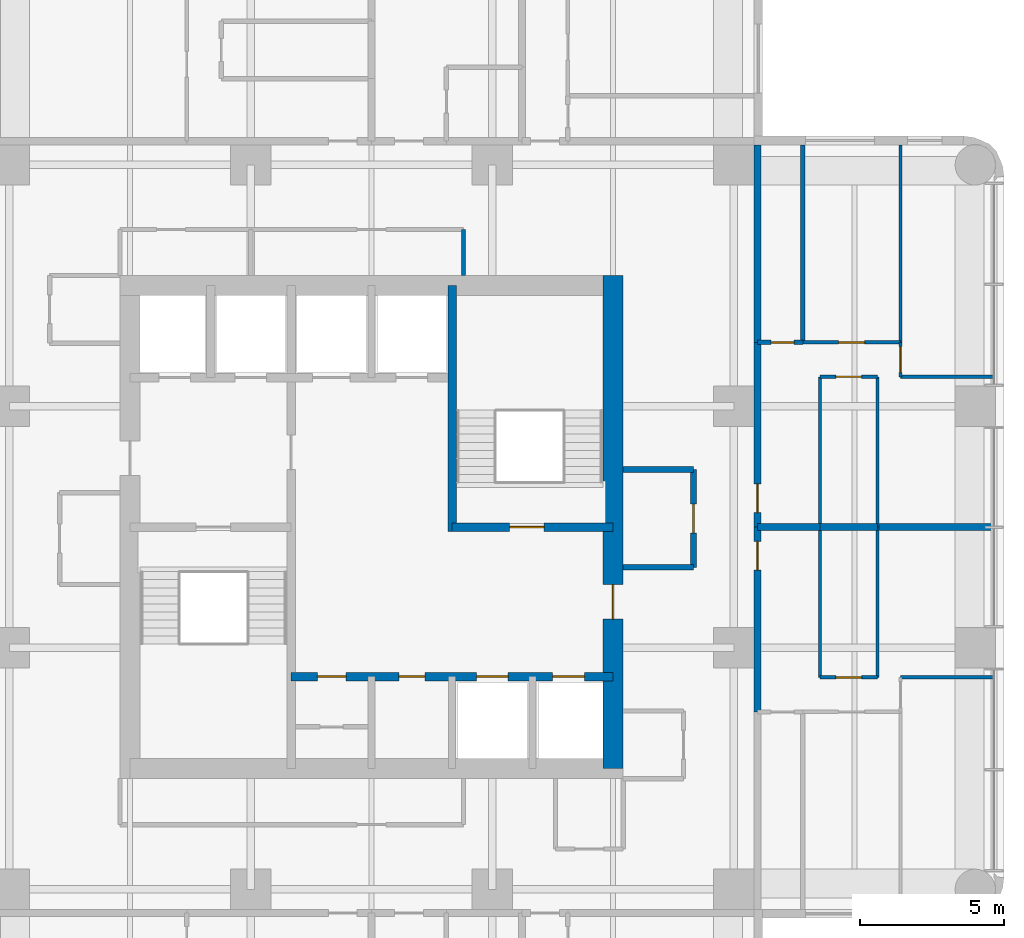
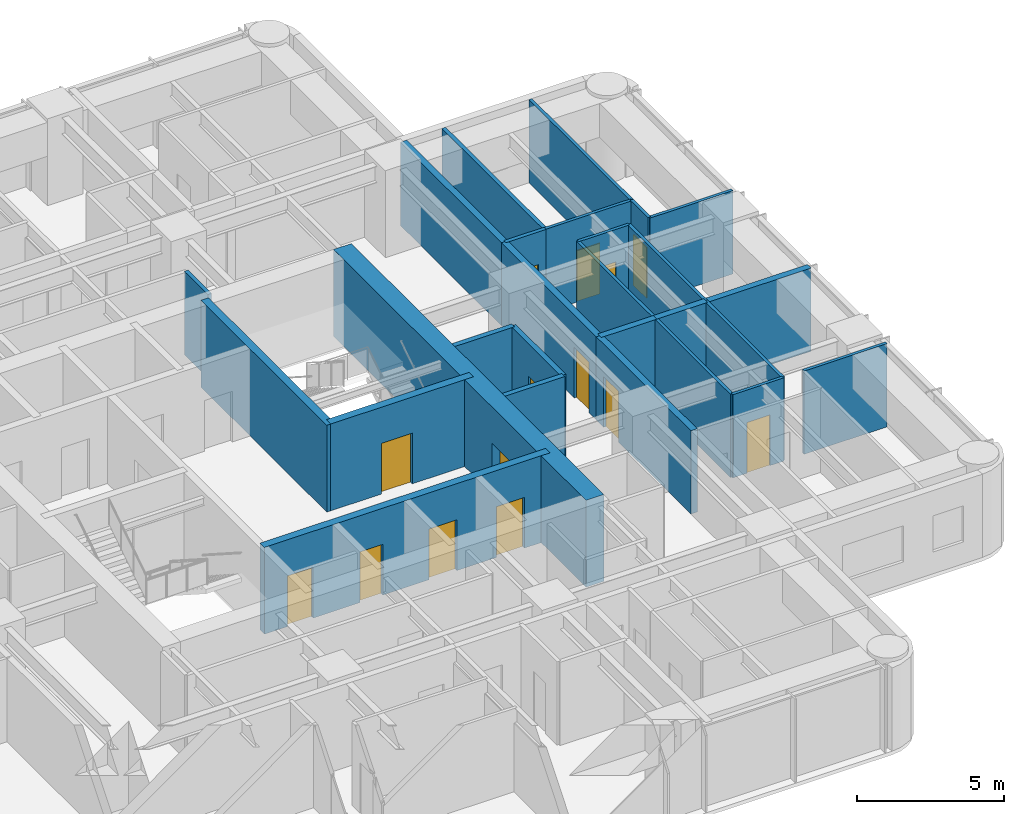
# One storey, part 8 of 11: 27 walls, 14 doors, 14 openings.
"""IFC4 building model written with IfcOpenShell, lengths in metres."""

from ifc_helpers import new_model, si_unit, direction, frame, frame_2d, origin, place, context, subcontext, project, spatial, rectangle, extrude, material, layer, layer_set, type_object, element, fill, save


model = new_model("IFC4")

# Units and contexts
model_context = context("Model", 3, precision=1e-05, world=origin(), true_north=direction((0.0, 1.0)))
body_context = subcontext(model_context, "Body", "Model", "MODEL_VIEW")
ifc_project = project(units=[si_unit("LENGTHUNIT", "METRE"), si_unit("AREAUNIT", "SQUARE_METRE"), si_unit("VOLUMEUNIT", "CUBIC_METRE"), si_unit("PLANEANGLEUNIT", "RADIAN"), si_unit("MASSUNIT", "GRAM", prefix="KILO")], contexts=[model_context])

# Site, building, storey
site_placement = place(None, origin())
site = spatial("IfcSite", under=ifc_project, at=site_placement, CompositionType="ELEMENT")
building_placement = place(site_placement, origin())
building = spatial("IfcBuilding", under=site, at=building_placement, Name="Torre Alcanfor", CompositionType="ELEMENT")
storey_placement = place(building_placement, frame((0.0, 0.0, 204.89990234375)))
storey = spatial("IfcBuildingStorey", under=building, at=storey_placement, Name="L53", CompositionType="ELEMENT", Elevation=204.89990234375)

# Wall, opening, door
ifc_material_1 = material(Name="Concrete block masonry, hollow blocks NMX-C-404 9 MPa", Category="masonry")
ifc_layer_1 = layer(ifc_material_1, 0.25)
ifc_layer_set_1 = layer_set([ifc_layer_1], Name="Apartment entrance wall 250 EI 60")
wall_type_1 = type_object("IfcWallType", Name="Apartment entrance wall 250 EI 60", PredefinedType="PARTITIONING", material=ifc_layer_set_1)
wall_1_placement = place(storey_placement, frame((42.824951171875, 35.8291015625, 0.0), z_axis=(0.0, 0.0, 1.0), x_axis=(0.0, -1.0, 0.0)))
wall_1 = element("IfcWall", 1, at=wall_1_placement, inside=storey, type_object=wall_type_1, Name="Partition L53-CORR / L53-E1-LIVING", PredefinedType="PARTITIONING", context=body_context, shape_type="SweptSolid", body=[
    extrude(rectangle(XDim=6.42919921875, YDim=0.25, at=frame_2d((3.214599609375, 0.0))), origin(), (0.0, 0.0, 1.0), 3.4501953125),
])
opening_1_placement = place(wall_1_placement, frame((4.928955078125, 0.0, 0.0)))
opening_1 = element("IfcOpeningElement", 2, at=opening_1_placement, cuts=wall_1, Name="Opening D-A1", PredefinedType="OPENING", context=body_context, shape_type="SweptSolid", body=[
    extrude(rectangle(XDim=1.0, YDim=2.10009765625, at=frame_2d((0.5, 1.050048828125))), frame((0.0, 0.135009765625, 0.0), z_axis=(0.0, -1.0, 0.0), x_axis=(1.0, 0.0, 0.0)), (0.0, 0.0, 1.0), 0.27001953125),
])
ifc_material_2 = material(Name="Galvanised steel sheet ASTM A653", Category="steel")
door_type_1 = type_object("IfcDoorType", Name="Apartment entrance door FD60 1000x2100", OperationType="SINGLE_SWING_LEFT", PredefinedType="DOOR", material=ifc_material_2)
door_1_placement = place(opening_1_placement, origin())
door_1 = element("IfcDoor", 3, at=door_1_placement, inside=storey, type_object=door_type_1, Name="Apartment entrance L53-E1", OperationType="SINGLE_SWING_RIGHT", OverallHeight=2.10009765625, OverallWidth=1.0, PredefinedType="DOOR", context=body_context, shape_type="SweptSolid", body=[
    extrude(rectangle(XDim=1.0, YDim=2.10009765625, at=frame_2d((0.5, 1.050048828125))), frame((0.0, 0.02490234375, 0.0), z_axis=(0.0, -1.0, 0.0), x_axis=(1.0, 0.0, 0.0)), (0.0, 0.0, 1.0), 0.050048828125),
])
fill(opening_1, door_1)

# Wall
wall_2_placement = place(storey_placement, frame((42.824951171875, 42.699951171875, 0.0), z_axis=(0.0, 0.0, 1.0), x_axis=(0.0, -1.0, 0.0)))
element("IfcWall", 4, at=wall_2_placement, inside=storey, type_object=wall_type_1, Name="Partition L53-CORR / L53-E1-BATH", PredefinedType="PARTITIONING", context=body_context, shape_type="SweptSolid", body=[
    extrude(rectangle(XDim=6.870849609375, YDim=0.25, at=frame_2d((3.435546875, 0.0))), origin(), (0.0, 0.0, 1.0), 3.4501953125),
])

# Wall, opening, door
wall_3_placement = place(storey_placement, frame((42.824951171875, 29.39990234375, 0.0), z_axis=(0.0, 0.0, 1.0), x_axis=(0.0, -1.0, 0.0)))
wall_3 = element("IfcWall", 5, at=wall_3_placement, inside=storey, type_object=wall_type_1, Name="Partition L53-CORR / L53-E2-LIVING", PredefinedType="PARTITIONING", context=body_context, shape_type="SweptSolid", body=[
    extrude(rectangle(XDim=6.428955078125, YDim=0.25, at=frame_2d((3.21435546875, 0.0))), origin(), (0.0, 0.0, 1.0), 3.4501953125),
])
opening_2_placement = place(wall_3_placement, frame((0.5, 0.0, 0.0)))
opening_2 = element("IfcOpeningElement", 6, at=opening_2_placement, cuts=wall_3, Name="Opening D-A1", PredefinedType="OPENING", context=body_context, shape_type="SweptSolid", body=[
    extrude(rectangle(XDim=1.0, YDim=2.10009765625, at=frame_2d((0.5, 1.050048828125))), frame((0.0, 0.135009765625, 0.0), z_axis=(0.0, -1.0, 0.0), x_axis=(1.0, 0.0, 0.0)), (0.0, 0.0, 1.0), 0.27001953125),
])
door_2_placement = place(opening_2_placement, origin())
door_2 = element("IfcDoor", 7, at=door_2_placement, inside=storey, type_object=door_type_1, Name="Apartment entrance L53-E2", OperationType="SINGLE_SWING_LEFT", OverallHeight=2.10009765625, OverallWidth=1.0, PredefinedType="DOOR", context=body_context, shape_type="SweptSolid", body=[
    extrude(rectangle(XDim=1.0, YDim=2.10009765625, at=frame_2d((0.5, 1.050048828125))), frame((0.0, 0.02490234375, 0.0), z_axis=(0.0, -1.0, 0.0), x_axis=(1.0, 0.0, 0.0)), (0.0, 0.0, 1.0), 0.050048828125),
])
fill(opening_2, door_2)

# Wall
ifc_material_3 = material(Name="Gypsum board on steel studs", Category="steel")
ifc_layer_2 = layer(ifc_material_3, 0.1201171875)
ifc_layer_set_2 = layer_set([ifc_layer_2], Name="Apartment partition 120")
wall_type_2 = type_object("IfcWallType", Name="Apartment partition 120", PredefinedType="PARTITIONING", material=ifc_layer_set_2)
wall_4_placement = place(storey_placement, frame((47.0, 29.39990234375, 0.0), z_axis=(0.0, 0.0, 1.0), x_axis=(0.0, 1.0, 0.0)))
element("IfcWall", 8, at=wall_4_placement, inside=storey, type_object=wall_type_2, Name="Partition L53-E1-KITCHEN / L53-E1-LIVING", PredefinedType="PARTITIONING", context=body_context, shape_type="SweptSolid", body=[
    extrude(rectangle(XDim=5.22900390625, YDim=0.1201171875, at=frame_2d((2.614501953125, 0.0))), origin(), (0.0, 0.0, 1.0), 3.4501953125),
])

# Wall, opening, door
wall_5_placement = place(storey_placement, frame((47.0, 34.62890625, 0.0), z_axis=(0.0, 0.0, 1.0), x_axis=(-1.0, 0.0, 0.0)))
wall_5 = element("IfcWall", 9, at=wall_5_placement, inside=storey, type_object=wall_type_2, Name="Partition L53-E1-KITCHEN / L53-E1-LIVING", PredefinedType="PARTITIONING", context=body_context, shape_type="SweptSolid", body=[
    extrude(rectangle(XDim=2.0, YDim=0.1201171875, at=frame_2d((1.0, 0.0))), origin(), (0.0, 0.0, 1.0), 3.4501953125),
])
opening_3_placement = place(wall_5_placement, frame((0.550048828125, 0.0, 0.0)))
opening_3 = element("IfcOpeningElement", 10, at=opening_3_placement, cuts=wall_5, Name="Opening D-R1", PredefinedType="OPENING", context=body_context, shape_type="SweptSolid", body=[
    extrude(rectangle(XDim=0.89990234375, YDim=2.10009765625, at=frame_2d((0.449951171875, 1.050048828125))), frame((0.0, 0.070068359375, 0.0), z_axis=(0.0, -1.0, 0.0), x_axis=(1.0, 0.0, 0.0)), (0.0, 0.0, 1.0), 0.14013671875),
])
ifc_material_4 = material(Name="Timber", Category="wood")
door_type_2 = type_object("IfcDoorType", Name="Internal door 900x2100", OperationType="SINGLE_SWING_LEFT", PredefinedType="DOOR", material=ifc_material_4)
door_3_placement = place(opening_3_placement, origin())
door_3 = element("IfcDoor", 11, at=door_3_placement, inside=storey, type_object=door_type_2, Name="Door L53-E1 kitchen", OperationType="SINGLE_SWING_LEFT", OverallHeight=2.10009765625, OverallWidth=0.89990234375, PredefinedType="DOOR", context=body_context, shape_type="SweptSolid", body=[
    extrude(rectangle(XDim=0.89990234375, YDim=2.10009765625, at=frame_2d((0.449951171875, 1.050048828125))), frame((0.0, 0.02490234375, 0.0), z_axis=(0.0, -1.0, 0.0), x_axis=(1.0, 0.0, 0.0)), (0.0, 0.0, 1.0), 0.050048828125),
])
fill(opening_3, door_3)

# Wall
wall_6_placement = place(storey_placement, frame((45.0, 34.62890625, 0.0), z_axis=(0.0, 0.0, 1.0), x_axis=(0.0, -1.0, 0.0)))
element("IfcWall", 12, at=wall_6_placement, inside=storey, type_object=wall_type_2, Name="Partition L53-E1-KITCHEN / L53-E1-LIVING", PredefinedType="PARTITIONING", context=body_context, shape_type="SweptSolid", body=[
    extrude(rectangle(XDim=5.22900390625, YDim=0.1201171875, at=frame_2d((2.614501953125, 0.0))), origin(), (0.0, 0.0, 1.0), 3.4501953125),
])

# Wall, opening, door
wall_7_placement = place(storey_placement, frame((44.39990234375, 35.8291015625, 0.0), z_axis=(0.0, 0.0, 1.0), x_axis=(1.0, 0.0, 0.0)))
wall_7 = element("IfcWall", 13, at=wall_7_placement, inside=storey, type_object=wall_type_2, Name="Partition L53-E1-LIVING / L53-E1-STUDY", PredefinedType="PARTITIONING", context=body_context, shape_type="SweptSolid", body=[
    extrude(rectangle(XDim=3.400146484375, YDim=0.1201171875, at=frame_2d((1.7001953125, 0.0))), origin(), (0.0, 0.0, 1.0), 3.4501953125),
])
opening_4_placement = place(wall_7_placement, frame((1.25, 0.0, 0.0)))
opening_4 = element("IfcOpeningElement", 14, at=opening_4_placement, cuts=wall_7, Name="Opening D-R1", PredefinedType="OPENING", context=body_context, shape_type="SweptSolid", body=[
    extrude(rectangle(XDim=0.89990234375, YDim=2.10009765625, at=frame_2d((0.449951171875, 1.050048828125))), frame((0.0, 0.070068359375, 0.0), z_axis=(0.0, -1.0, 0.0), x_axis=(1.0, 0.0, 0.0)), (0.0, 0.0, 1.0), 0.14013671875),
])
door_4_placement = place(opening_4_placement, origin())
door_4 = element("IfcDoor", 15, at=door_4_placement, inside=storey, type_object=door_type_2, Name="Door L53-E1 study", OperationType="SINGLE_SWING_LEFT", OverallHeight=2.10009765625, OverallWidth=0.89990234375, PredefinedType="DOOR", context=body_context, shape_type="SweptSolid", body=[
    extrude(rectangle(XDim=0.89990234375, YDim=2.10009765625, at=frame_2d((0.449951171875, 1.050048828125))), frame((0.0, 0.02490234375, 0.0), z_axis=(0.0, -1.0, 0.0), x_axis=(1.0, 0.0, 0.0)), (0.0, 0.0, 1.0), 0.050048828125),
])
fill(opening_4, door_4)

wall_8_placement = place(storey_placement, frame((47.800048828125, 35.8291015625, 0.0), z_axis=(0.0, 0.0, 1.0), x_axis=(0.0, -1.0, 0.0)))
wall_8 = element("IfcWall", 16, at=wall_8_placement, inside=storey, type_object=wall_type_2, Name="Partition L53-E1-LIVING / L53-E1-MASTER", PredefinedType="PARTITIONING", context=body_context, shape_type="SweptSolid", body=[
    extrude(rectangle(XDim=1.2001953125, YDim=0.1201171875, at=frame_2d((0.60009765625, 0.0))), origin(), (0.0, 0.0, 1.0), 3.4501953125),
])
opening_5_placement = place(wall_8_placement, frame((0.14892578125, 0.0, 0.0)))
opening_5 = element("IfcOpeningElement", 17, at=opening_5_placement, cuts=wall_8, Name="Opening D-R1", PredefinedType="OPENING", context=body_context, shape_type="SweptSolid", body=[
    extrude(rectangle(XDim=0.89990234375, YDim=2.10009765625, at=frame_2d((0.449951171875, 1.050048828125))), frame((0.0, 0.070068359375, 0.0), z_axis=(0.0, -1.0, 0.0), x_axis=(1.0, 0.0, 0.0)), (0.0, 0.0, 1.0), 0.14013671875),
])
door_5_placement = place(opening_5_placement, origin())
door_5 = element("IfcDoor", 18, at=door_5_placement, inside=storey, type_object=door_type_2, Name="Door L53-E1 master", OperationType="SINGLE_SWING_RIGHT", OverallHeight=2.10009765625, OverallWidth=0.89990234375, PredefinedType="DOOR", context=body_context, shape_type="SweptSolid", body=[
    extrude(rectangle(XDim=0.89990234375, YDim=2.10009765625, at=frame_2d((0.449951171875, 1.050048828125))), frame((0.0, 0.02490234375, 0.0), z_axis=(0.0, -1.0, 0.0), x_axis=(1.0, 0.0, 0.0)), (0.0, 0.0, 1.0), 0.050048828125),
])
fill(opening_5, door_5)

# Walls
wall_9_placement = place(storey_placement, frame((47.800048828125, 34.62890625, 0.0), z_axis=(0.0, 0.0, 1.0), x_axis=(1.0, 0.0, 0.0)))
element("IfcWall", 19, at=wall_9_placement, inside=storey, type_object=wall_type_2, Name="Partition L53-E1-LIVING / L53-E1-MASTER", PredefinedType="PARTITIONING", context=body_context, shape_type="SweptSolid", body=[
    extrude(rectangle(XDim=3.25, YDim=0.1201171875, at=frame_2d((1.625, 0.0))), origin(), (0.0, 0.0, 1.0), 3.4501953125),
])
wall_10_placement = place(storey_placement, frame((47.800048828125, 35.8291015625, 0.0), z_axis=(0.0, 0.0, 1.0), x_axis=(0.0, 1.0, 0.0)))
element("IfcWall", 20, at=wall_10_placement, inside=storey, type_object=wall_type_2, Name="Partition L53-E1-STUDY / L53-E1-MASTER", PredefinedType="PARTITIONING", context=body_context, shape_type="SweptSolid", body=[
    extrude(rectangle(XDim=6.870849609375, YDim=0.1201171875, at=frame_2d((3.435546875, 0.0))), origin(), (0.0, 0.0, 1.0), 3.4501953125),
])
wall_11_placement = place(storey_placement, frame((47.0, 29.39990234375, 0.0), z_axis=(0.0, 0.0, 1.0), x_axis=(0.0, -1.0, 0.0)))
element("IfcWall", 21, at=wall_11_placement, inside=storey, type_object=wall_type_2, Name="Partition L53-E2-KITCHEN / L53-E2-LIVING", PredefinedType="PARTITIONING", context=body_context, shape_type="SweptSolid", body=[
    extrude(rectangle(XDim=5.22900390625, YDim=0.1201171875, at=frame_2d((2.614501953125, 0.0))), origin(), (0.0, 0.0, 1.0), 3.4501953125),
])

# Wall, opening, door
wall_12_placement = place(storey_placement, frame((47.0, 24.1708984375, 0.0), z_axis=(0.0, 0.0, 1.0), x_axis=(-1.0, 0.0, 0.0)))
wall_12 = element("IfcWall", 22, at=wall_12_placement, inside=storey, type_object=wall_type_2, Name="Partition L53-E2-KITCHEN / L53-E2-LIVING", PredefinedType="PARTITIONING", context=body_context, shape_type="SweptSolid", body=[
    extrude(rectangle(XDim=2.0, YDim=0.1201171875, at=frame_2d((1.0, 0.0))), origin(), (0.0, 0.0, 1.0), 3.4501953125),
])
opening_6_placement = place(wall_12_placement, frame((0.550048828125, 0.0, 0.0)))
opening_6 = element("IfcOpeningElement", 23, at=opening_6_placement, cuts=wall_12, Name="Opening D-R1", PredefinedType="OPENING", context=body_context, shape_type="SweptSolid", body=[
    extrude(rectangle(XDim=0.89990234375, YDim=2.10009765625, at=frame_2d((0.449951171875, 1.050048828125))), frame((0.0, 0.070068359375, 0.0), z_axis=(0.0, -1.0, 0.0), x_axis=(1.0, 0.0, 0.0)), (0.0, 0.0, 1.0), 0.14013671875),
])
door_6_placement = place(opening_6_placement, frame((0.89990234375, 0.0, 0.0), z_axis=(0.0, 0.0, 1.0), x_axis=(-1.0, 0.0, 0.0)))
door_6 = element("IfcDoor", 24, at=door_6_placement, inside=storey, type_object=door_type_2, Name="Door L53-E2 kitchen", OperationType="SINGLE_SWING_RIGHT", OverallHeight=2.10009765625, OverallWidth=0.89990234375, PredefinedType="DOOR", context=body_context, shape_type="SweptSolid", body=[
    extrude(rectangle(XDim=0.89990234375, YDim=2.10009765625, at=frame_2d((0.449951171875, 1.050048828125))), frame((0.0, 0.025146484375, 0.0), z_axis=(0.0, -1.0, 0.0), x_axis=(1.0, 0.0, 0.0)), (0.0, 0.0, 1.0), 0.050048828125),
])
fill(opening_6, door_6)

# Walls
wall_13_placement = place(storey_placement, frame((45.0, 24.1708984375, 0.0), z_axis=(0.0, 0.0, 1.0), x_axis=(0.0, 1.0, 0.0)))
element("IfcWall", 25, at=wall_13_placement, inside=storey, type_object=wall_type_2, Name="Partition L53-E2-KITCHEN / L53-E2-LIVING", PredefinedType="PARTITIONING", context=body_context, shape_type="SweptSolid", body=[
    extrude(rectangle(XDim=5.22900390625, YDim=0.1201171875, at=frame_2d((2.614501953125, 0.0))), origin(), (0.0, 0.0, 1.0), 3.4501953125),
])
wall_14_placement = place(storey_placement, frame((51.050048828125, 24.1708984375, 0.0), z_axis=(0.0, 0.0, 1.0), x_axis=(-1.0, 0.0, 0.0)))
element("IfcWall", 26, at=wall_14_placement, inside=storey, type_object=wall_type_2, Name="Partition L53-E2-LIVING / L53-E2-MASTER", PredefinedType="PARTITIONING", context=body_context, shape_type="SweptSolid", body=[
    extrude(rectangle(XDim=3.25, YDim=0.1201171875, at=frame_2d((1.625, 0.0))), origin(), (0.0, 0.0, 1.0), 3.4501953125),
])

# Wall, openings, doors
ifc_material_5 = material(Name="Concrete f'c 70 MPa", Category="concrete")
ifc_layer_3 = layer(ifc_material_5, 0.300048828125)
ifc_layer_set_3 = layer_set([ifc_layer_3], Name="Core inner wall 300 f'c70")
wall_type_3 = type_object("IfcWallType", Name="Core inner wall 300 f'c70", PredefinedType="SHEAR", material=ifc_layer_set_3)
wall_15_placement = place(storey_placement, frame((26.60009765625, 24.199951171875, 0.0), z_axis=(0.0, 0.0, 1.0), x_axis=(1.0, 0.0, 0.0)))
wall_15 = element("IfcWall", 27, at=wall_15_placement, inside=storey, type_object=wall_type_3, Name="Core wall Y242 L53", PredefinedType="SHEAR", context=body_context, shape_type="SweptSolid", body=[
    extrude(rectangle(XDim=11.199951171875, YDim=0.300048828125, at=frame_2d((5.60009765625, 0.0))), origin(), (0.0, 0.0, 1.0), 3.60009765625),
])
opening_7_placement = place(wall_15_placement, frame((0.91259765625, 0.0, 0.0)))
opening_7 = element("IfcOpeningElement", 28, at=opening_7_placement, cuts=wall_15, Name="Opening D-K1", PredefinedType="OPENING", context=body_context, shape_type="SweptSolid", body=[
    extrude(rectangle(XDim=1.0, YDim=2.10009765625, at=frame_2d((0.5, 1.050048828125))), frame((0.0, 0.159912109375, 0.0), z_axis=(0.0, -1.0, 0.0), x_axis=(1.0, 0.0, 0.0)), (0.0, 0.0, 1.0), 0.320068359375),
])
opening_8_placement = place(wall_15_placement, frame((3.75, 0.0, 0.0)))
opening_8 = element("IfcOpeningElement", 29, at=opening_8_placement, cuts=wall_15, Name="Opening D-Q1", PredefinedType="OPENING", context=body_context, shape_type="SweptSolid", body=[
    extrude(rectangle(XDim=0.89990234375, YDim=2.10009765625, at=frame_2d((0.449951171875, 1.050048828125))), frame((0.0, 0.159912109375, 0.0), z_axis=(0.0, -1.0, 0.0), x_axis=(1.0, 0.0, 0.0)), (0.0, 0.0, 1.0), 0.320068359375),
])
opening_9_placement = place(wall_15_placement, frame((6.449951171875, 0.0, 0.0)))
opening_9 = element("IfcOpeningElement", 30, at=opening_9_placement, cuts=wall_15, Name="Opening LD1", PredefinedType="OPENING", context=body_context, shape_type="SweptSolid", body=[
    extrude(rectangle(XDim=1.10009765625, YDim=2.10009765625, at=frame_2d((0.550048828125, 1.050048828125))), frame((0.0, 0.159912109375, 0.0), z_axis=(0.0, -1.0, 0.0), x_axis=(1.0, 0.0, 0.0)), (0.0, 0.0, 1.0), 0.320068359375),
])
opening_10_placement = place(wall_15_placement, frame((9.10009765625, 0.0, 0.0)))
opening_10 = element("IfcOpeningElement", 31, at=opening_10_placement, cuts=wall_15, Name="Opening LD1", PredefinedType="OPENING", context=body_context, shape_type="SweptSolid", body=[
    extrude(rectangle(XDim=1.10009765625, YDim=2.10009765625, at=frame_2d((0.550048828125, 1.050048828125))), frame((0.0, 0.159912109375, 0.0), z_axis=(0.0, -1.0, 0.0), x_axis=(1.0, 0.0, 0.0)), (0.0, 0.0, 1.0), 0.320068359375),
])
ifc_material_6 = material(Name="Galvanised steel sheet ASTM A653", Category="steel")
door_type_3 = type_object("IfcDoorType", Name="Core room door FD60 1000x2100", OperationType="SINGLE_SWING_LEFT", PredefinedType="DOOR", material=ifc_material_6)
door_7_placement = place(opening_7_placement, frame((1.0, 0.0, 0.0), z_axis=(0.0, 0.0, 1.0), x_axis=(-1.0, 0.0, 0.0)))
door_7 = element("IfcDoor", 32, at=door_7_placement, inside=storey, type_object=door_type_3, Name="IT and comms room door L53", OperationType="SINGLE_SWING_RIGHT", OverallHeight=2.10009765625, OverallWidth=1.0, PredefinedType="DOOR", context=body_context, shape_type="SweptSolid", body=[
    extrude(rectangle(XDim=1.0, YDim=2.10009765625, at=frame_2d((0.5, 1.050048828125))), frame((0.0, 0.025146484375, 0.0), z_axis=(0.0, -1.0, 0.0), x_axis=(1.0, 0.0, 0.0)), (0.0, 0.0, 1.0), 0.050048828125),
])
fill(opening_7, door_7)
ifc_material_7 = material(Name="Galvanised steel sheet ASTM A653", Category="steel")
door_type_4 = type_object("IfcDoorType", Name="Lift landing door 1100x2100", OperationType="DOUBLE_DOOR_SLIDING", PredefinedType="DOOR", material=ifc_material_7)
door_8_placement = place(opening_9_placement, origin())
door_8 = element("IfcDoor", 33, at=door_8_placement, inside=storey, type_object=door_type_4, Name="Lift landing door PA3 L53", OperationType="DOUBLE_DOOR_SLIDING", OverallHeight=2.10009765625, OverallWidth=1.10009765625, PredefinedType="DOOR", context=body_context, shape_type="SweptSolid", body=[
    extrude(rectangle(XDim=1.10009765625, YDim=2.10009765625, at=frame_2d((0.550048828125, 1.050048828125))), frame((0.0, 0.02490234375, 0.0), z_axis=(0.0, -1.0, 0.0), x_axis=(1.0, 0.0, 0.0)), (0.0, 0.0, 1.0), 0.050048828125),
])
fill(opening_9, door_8)
door_9_placement = place(opening_10_placement, origin())
door_9 = element("IfcDoor", 34, at=door_9_placement, inside=storey, type_object=door_type_4, Name="Lift landing door PA4 L53", OperationType="DOUBLE_DOOR_SLIDING", OverallHeight=2.10009765625, OverallWidth=1.10009765625, PredefinedType="DOOR", context=body_context, shape_type="SweptSolid", body=[
    extrude(rectangle(XDim=1.10009765625, YDim=2.10009765625, at=frame_2d((0.550048828125, 1.050048828125))), frame((0.0, 0.02490234375, 0.0), z_axis=(0.0, -1.0, 0.0), x_axis=(1.0, 0.0, 0.0)), (0.0, 0.0, 1.0), 0.050048828125),
])
fill(opening_10, door_9)
ifc_material_8 = material(Name="Galvanised steel sheet ASTM A653", Category="steel")
door_type_5 = type_object("IfcDoorType", Name="Riser access door FD120 900x2100", OperationType="SINGLE_SWING_LEFT", PredefinedType="DOOR", material=ifc_material_8)
door_10_placement = place(opening_8_placement, frame((0.89990234375, 0.0, 0.0), z_axis=(0.0, 0.0, 1.0), x_axis=(-1.0, 0.0, 0.0)))
door_10 = element("IfcDoor", 35, at=door_10_placement, inside=storey, type_object=door_type_5, Name="Riser door L53", OperationType="SINGLE_SWING_RIGHT", OverallHeight=2.10009765625, OverallWidth=0.89990234375, PredefinedType="DOOR", context=body_context, shape_type="SweptSolid", body=[
    extrude(rectangle(XDim=0.89990234375, YDim=2.10009765625, at=frame_2d((0.449951171875, 1.050048828125))), frame((0.0, 0.025146484375, 0.0), z_axis=(0.0, -1.0, 0.0), x_axis=(1.0, 0.0, 0.0)), (0.0, 0.0, 1.0), 0.050048828125),
])
fill(opening_8, door_10)

# Wall
wall_16_placement = place(storey_placement, frame((32.199951171875, 29.25, 0.0), z_axis=(0.0, 0.0, 1.0), x_axis=(0.0, 1.0, 0.0)))
element("IfcWall", 36, at=wall_16_placement, inside=storey, type_object=wall_type_3, Name="Core wall X322N L53", PredefinedType="SHEAR", context=body_context, shape_type="SweptSolid", body=[
    extrude(rectangle(XDim=8.550048828125, YDim=0.300048828125, at=frame_2d((4.27490234375, 0.0))), origin(), (0.0, 0.0, 1.0), 3.60009765625),
])

# Wall, opening, door
wall_17_placement = place(storey_placement, frame((32.199951171875, 29.39990234375, 0.0), z_axis=(0.0, 0.0, 1.0), x_axis=(1.0, 0.0, 0.0)))
wall_17 = element("IfcWall", 37, at=wall_17_placement, inside=storey, type_object=wall_type_3, Name="Core wall Y294E L53", PredefinedType="SHEAR", context=body_context, shape_type="SweptSolid", body=[
    extrude(rectangle(XDim=5.60009765625, YDim=0.300048828125, at=frame_2d((2.800048828125, 0.0))), origin(), (0.0, 0.0, 1.0), 3.60009765625),
])
opening_11_placement = place(wall_17_placement, frame((2.0, 0.0, 0.0)))
opening_11 = element("IfcOpeningElement", 38, at=opening_11_placement, cuts=wall_17, Name="Opening D-S2", PredefinedType="OPENING", context=body_context, shape_type="SweptSolid", body=[
    extrude(rectangle(XDim=1.199951171875, YDim=2.10009765625, at=frame_2d((0.60009765625, 1.050048828125))), frame((0.0, 0.159912109375, 0.0), z_axis=(0.0, -1.0, 0.0), x_axis=(1.0, 0.0, 0.0)), (0.0, 0.0, 1.0), 0.320068359375),
])
ifc_material_9 = material(Name="Galvanised steel sheet ASTM A653", Category="steel")
door_type_6 = type_object("IfcDoorType", Name="Stair enclosure door FD120 1200x2100", OperationType="SINGLE_SWING_LEFT", PredefinedType="DOOR", material=ifc_material_9)
door_11_placement = place(opening_11_placement, origin())
door_11 = element("IfcDoor", 39, at=door_11_placement, inside=storey, type_object=door_type_6, Name="Stair S2 door L53", OperationType="SINGLE_SWING_LEFT", OverallHeight=2.10009765625, OverallWidth=1.199951171875, PredefinedType="DOOR", context=body_context, shape_type="SweptSolid", body=[
    extrude(rectangle(XDim=1.199951171875, YDim=2.10009765625, at=frame_2d((0.60009765625, 1.050048828125))), frame((0.0, 0.02490234375, 0.0), z_axis=(0.0, -1.0, 0.0), x_axis=(1.0, 0.0, 0.0)), (0.0, 0.0, 1.0), 0.050048828125),
])
fill(opening_11, door_11)

ifc_material_10 = material(Name="Concrete f'c 70 MPa", Category="concrete")
ifc_layer_4 = layer(ifc_material_10, 0.699951171875)
ifc_layer_set_4 = layer_set([ifc_layer_4], Name="Core wall 700 f'c70")
wall_type_4 = type_object("IfcWallType", Name="Core wall 700 f'c70", PredefinedType="SHEAR", material=ifc_layer_set_4)
wall_18_placement = place(storey_placement, frame((37.800048828125, 21.0, 0.0), z_axis=(0.0, 0.0, 1.0), x_axis=(0.0, 1.0, 0.0)))
wall_18 = element("IfcWall", 40, at=wall_18_placement, inside=storey, type_object=wall_type_4, Name="Core wall OUT-E L53", PredefinedType="SHEAR", context=body_context, shape_type="SweptSolid", body=[
    extrude(rectangle(XDim=17.14990234375, YDim=0.699951171875, at=frame_2d((8.574951171875, 0.0))), origin(), (0.0, 0.0, 1.0), 3.60009765625),
])
opening_12_placement = place(wall_18_placement, frame((5.199951171875, 0.0, 0.0)))
opening_12 = element("IfcOpeningElement", 41, at=opening_12_placement, cuts=wall_18, Name="Opening D-L1", PredefinedType="OPENING", context=body_context, shape_type="SweptSolid", body=[
    extrude(rectangle(XDim=1.199951171875, YDim=2.10009765625, at=frame_2d((0.60009765625, 1.050048828125))), frame((0.0, 0.35986328125, 0.0), z_axis=(0.0, -1.0, 0.0), x_axis=(1.0, 0.0, 0.0)), (0.0, 0.0, 1.0), 0.719970703125),
])
ifc_material_11 = material(Name="Galvanised steel sheet ASTM A653", Category="steel")
door_type_7 = type_object("IfcDoorType", Name="Lobby door FD120 1200x2100", OperationType="SINGLE_SWING_LEFT", PredefinedType="DOOR", material=ifc_material_11)
door_12_placement = place(opening_12_placement, origin())
door_12 = element("IfcDoor", 42, at=door_12_placement, inside=storey, type_object=door_type_7, Name="Lift lobby entrance door L53", OperationType="SINGLE_SWING_LEFT", OverallHeight=2.10009765625, OverallWidth=1.199951171875, PredefinedType="DOOR", context=body_context, shape_type="SweptSolid", body=[
    extrude(rectangle(XDim=1.199951171875, YDim=2.10009765625, at=frame_2d((0.60009765625, 1.050048828125))), frame((0.0, 0.02490234375, 0.0), z_axis=(0.0, -1.0, 0.0), x_axis=(1.0, 0.0, 0.0)), (0.0, 0.0, 1.0), 0.050048828125),
])
fill(opening_12, door_12)

# Walls
ifc_material_12 = material(Name="Concrete block masonry, hollow blocks NMX-C-404 9 MPa", Category="masonry")
ifc_layer_5 = layer(ifc_material_12, 0.25)
ifc_layer_set_5 = layer_set([ifc_layer_5], Name="Party wall 250 EI 60")
wall_type_5 = type_object("IfcWallType", Name="Party wall 250 EI 60", PredefinedType="PARTITIONING", material=ifc_layer_set_5)
wall_19_placement = place(storey_placement, frame((45.0, 29.39990234375, 0.0), z_axis=(0.0, 0.0, 1.0), x_axis=(1.0, 0.0, 0.0)))
element("IfcWall", 43, at=wall_19_placement, inside=storey, type_object=wall_type_5, Name="Partition L53-E1-KITCHEN / L53-E2-KITCHEN", PredefinedType="PARTITIONING", context=body_context, shape_type="SweptSolid", body=[
    extrude(rectangle(XDim=2.0, YDim=0.25, at=frame_2d((1.0, 0.0))), origin(), (0.0, 0.0, 1.0), 3.4501953125),
])
wall_20_placement = place(storey_placement, frame((45.0, 29.39990234375, 0.0), z_axis=(0.0, 0.0, 1.0), x_axis=(-1.0, 0.0, 0.0)))
element("IfcWall", 44, at=wall_20_placement, inside=storey, type_object=wall_type_5, Name="Partition L53-E1-LIVING / L53-E2-LIVING", PredefinedType="PARTITIONING", context=body_context, shape_type="SweptSolid", body=[
    extrude(rectangle(XDim=2.175048828125, YDim=0.25, at=frame_2d((1.08740234375, 0.0))), origin(), (0.0, 0.0, 1.0), 3.4501953125),
])
wall_21_placement = place(storey_placement, frame((51.050048828125, 29.39990234375, 0.0), z_axis=(0.0, 0.0, 1.0), x_axis=(-1.0, 0.0, 0.0)))
element("IfcWall", 45, at=wall_21_placement, inside=storey, type_object=wall_type_5, Name="Partition L53-E1-LIVING / L53-E2-LIVING", PredefinedType="PARTITIONING", context=body_context, shape_type="SweptSolid", body=[
    extrude(rectangle(XDim=4.050048828125, YDim=0.25, at=frame_2d((2.02490234375, 0.0))), origin(), (0.0, 0.0, 1.0), 3.4501953125),
])
ifc_material_13 = material(Name="Concrete block masonry, hollow blocks NMX-C-404 9 MPa", Category="masonry")
ifc_layer_6 = layer(ifc_material_13, 0.199951171875)
ifc_layer_set_6 = layer_set([ifc_layer_6], Name="Plant room wall 200 EI 60")
wall_type_6 = type_object("IfcWallType", Name="Plant room wall 200 EI 60", PredefinedType="PARTITIONING", material=ifc_layer_set_6)
wall_22_placement = place(storey_placement, frame((38.14990234375, 28.0, 0.0), z_axis=(0.0, 0.0, 1.0), x_axis=(1.0, 0.0, 0.0)))
element("IfcWall", 46, at=wall_22_placement, inside=storey, type_object=wall_type_6, Name="Partition L53-CORR / L53-G04", PredefinedType="PARTITIONING", context=body_context, shape_type="SweptSolid", body=[
    extrude(rectangle(XDim=2.4501953125, YDim=0.199951171875, at=frame_2d((1.22509765625, 0.0))), origin(), (0.0, 0.0, 1.0), 3.4501953125),
])

# Wall, opening, door
wall_23_placement = place(storey_placement, frame((40.60009765625, 28.0, 0.0), z_axis=(0.0, 0.0, 1.0), x_axis=(0.0, 1.0, 0.0)))
wall_23 = element("IfcWall", 47, at=wall_23_placement, inside=storey, type_object=wall_type_6, Name="Partition L53-CORR / L53-G04", PredefinedType="PARTITIONING", context=body_context, shape_type="SweptSolid", body=[
    extrude(rectangle(XDim=3.39990234375, YDim=0.199951171875, at=frame_2d((1.699951171875, 0.0))), origin(), (0.0, 0.0, 1.0), 3.4501953125),
])
opening_13_placement = place(wall_23_placement, frame((1.199951171875, 0.0, 0.0)))
opening_13 = element("IfcOpeningElement", 48, at=opening_13_placement, cuts=wall_23, Name="Opening D-K1", PredefinedType="OPENING", context=body_context, shape_type="SweptSolid", body=[
    extrude(rectangle(XDim=1.0, YDim=2.10009765625, at=frame_2d((0.5, 1.050048828125))), frame((0.0, 0.10986328125, 0.0), z_axis=(0.0, -1.0, 0.0), x_axis=(1.0, 0.0, 0.0)), (0.0, 0.0, 1.0), 0.219970703125),
])
door_13_placement = place(opening_13_placement, origin())
door_13 = element("IfcDoor", 49, at=door_13_placement, inside=storey, type_object=door_type_3, Name="Door L53-G04 refuse and recycling store", OperationType="SINGLE_SWING_LEFT", OverallHeight=2.10009765625, OverallWidth=1.0, PredefinedType="DOOR", context=body_context, shape_type="SweptSolid", body=[
    extrude(rectangle(XDim=1.0, YDim=2.10009765625, at=frame_2d((0.5, 1.050048828125))), frame((0.0, 0.02490234375, 0.0), z_axis=(0.0, -1.0, 0.0), x_axis=(1.0, 0.0, 0.0)), (0.0, 0.0, 1.0), 0.050048828125),
])
fill(opening_13, door_13)

# Walls
wall_24_placement = place(storey_placement, frame((40.60009765625, 31.39990234375, 0.0), z_axis=(0.0, 0.0, 1.0), x_axis=(-1.0, 0.0, 0.0)))
element("IfcWall", 50, at=wall_24_placement, inside=storey, type_object=wall_type_6, Name="Partition L53-CORR / L53-G04", PredefinedType="PARTITIONING", context=body_context, shape_type="SweptSolid", body=[
    extrude(rectangle(XDim=2.4501953125, YDim=0.199951171875, at=frame_2d((1.22509765625, 0.0))), origin(), (0.0, 0.0, 1.0), 3.4501953125),
])
ifc_material_14 = material(Name="Concrete block masonry, hollow blocks NMX-C-404 9 MPa", Category="masonry")
ifc_layer_7 = layer(ifc_material_14, 0.14990234375)
ifc_layer_set_7 = layer_set([ifc_layer_7], Name="Residents' room partition 150")
wall_type_7 = type_object("IfcWallType", Name="Residents' room partition 150", PredefinedType="PARTITIONING", material=ifc_layer_set_7)
wall_25_placement = place(storey_placement, frame((32.60009765625, 38.14990234375, 0.0), z_axis=(0.0, 0.0, 1.0), x_axis=(0.0, 1.0, 0.0)))
element("IfcWall", 51, at=wall_25_placement, inside=storey, type_object=wall_type_7, Name="Partition L53-CORR / L53-G02", PredefinedType="PARTITIONING", context=body_context, shape_type="SweptSolid", body=[
    extrude(rectangle(XDim=1.60009765625, YDim=0.14990234375, at=frame_2d((0.800048828125, 0.0))), origin(), (0.0, 0.0, 1.0), 3.4501953125),
])

# Wall, opening, door
ifc_material_15 = material(Name="Cement board on steel studs", Category="steel")
ifc_layer_8 = layer(ifc_material_15, 0.14990234375)
ifc_layer_set_8 = layer_set([ifc_layer_8], Name="Wet area partition 150")
wall_type_8 = type_object("IfcWallType", Name="Wet area partition 150", PredefinedType="PARTITIONING", material=ifc_layer_set_8)
wall_26_placement = place(storey_placement, frame((42.824951171875, 35.8291015625, 0.0), z_axis=(0.0, 0.0, 1.0), x_axis=(1.0, 0.0, 0.0)))
wall_26 = element("IfcWall", 52, at=wall_26_placement, inside=storey, type_object=wall_type_8, Name="Partition L53-E1-LIVING / L53-E1-BATH", PredefinedType="PARTITIONING", context=body_context, shape_type="SweptSolid", body=[
    extrude(rectangle(XDim=1.574951171875, YDim=0.14990234375, at=frame_2d((0.78759765625, 0.0))), origin(), (0.0, 0.0, 1.0), 3.4501953125),
])
opening_14_placement = place(wall_26_placement, frame((0.47509765625, 0.0, 0.0)))
opening_14 = element("IfcOpeningElement", 53, at=opening_14_placement, cuts=wall_26, Name="Opening D-R2", PredefinedType="OPENING", context=body_context, shape_type="SweptSolid", body=[
    extrude(rectangle(XDim=0.800048828125, YDim=2.10009765625, at=frame_2d((0.39990234375, 1.050048828125))), frame((0.0, 0.0849609375, 0.0), z_axis=(0.0, -1.0, 0.0), x_axis=(1.0, 0.0, 0.0)), (0.0, 0.0, 1.0), 0.169921875),
])
ifc_material_16 = material(Name="Timber", Category="wood")
door_type_8 = type_object("IfcDoorType", Name="Bathroom door 800x2100", OperationType="SINGLE_SWING_LEFT", PredefinedType="DOOR", material=ifc_material_16)
door_14_placement = place(opening_14_placement, origin())
door_14 = element("IfcDoor", 54, at=door_14_placement, inside=storey, type_object=door_type_8, Name="Door L53-E1 bath", OperationType="SINGLE_SWING_RIGHT", OverallHeight=2.10009765625, OverallWidth=0.800048828125, PredefinedType="DOOR", context=body_context, shape_type="SweptSolid", body=[
    extrude(rectangle(XDim=0.800048828125, YDim=2.10009765625, at=frame_2d((0.39990234375, 1.050048828125))), frame((0.0, 0.02490234375, 0.0), z_axis=(0.0, -1.0, 0.0), x_axis=(1.0, 0.0, 0.0)), (0.0, 0.0, 1.0), 0.050048828125),
])
fill(opening_14, door_14)

# Wall
wall_27_placement = place(storey_placement, frame((44.39990234375, 35.8291015625, 0.0), z_axis=(0.0, 0.0, 1.0), x_axis=(0.0, 1.0, 0.0)))
element("IfcWall", 55, at=wall_27_placement, inside=storey, type_object=wall_type_8, Name="Partition L53-E1-BATH / L53-E1-STUDY", PredefinedType="PARTITIONING", context=body_context, shape_type="SweptSolid", body=[
    extrude(rectangle(XDim=6.870849609375, YDim=0.14990234375, at=frame_2d((3.435546875, 0.0))), origin(), (0.0, 0.0, 1.0), 3.4501953125),
])

save(model, "model.ifc")
